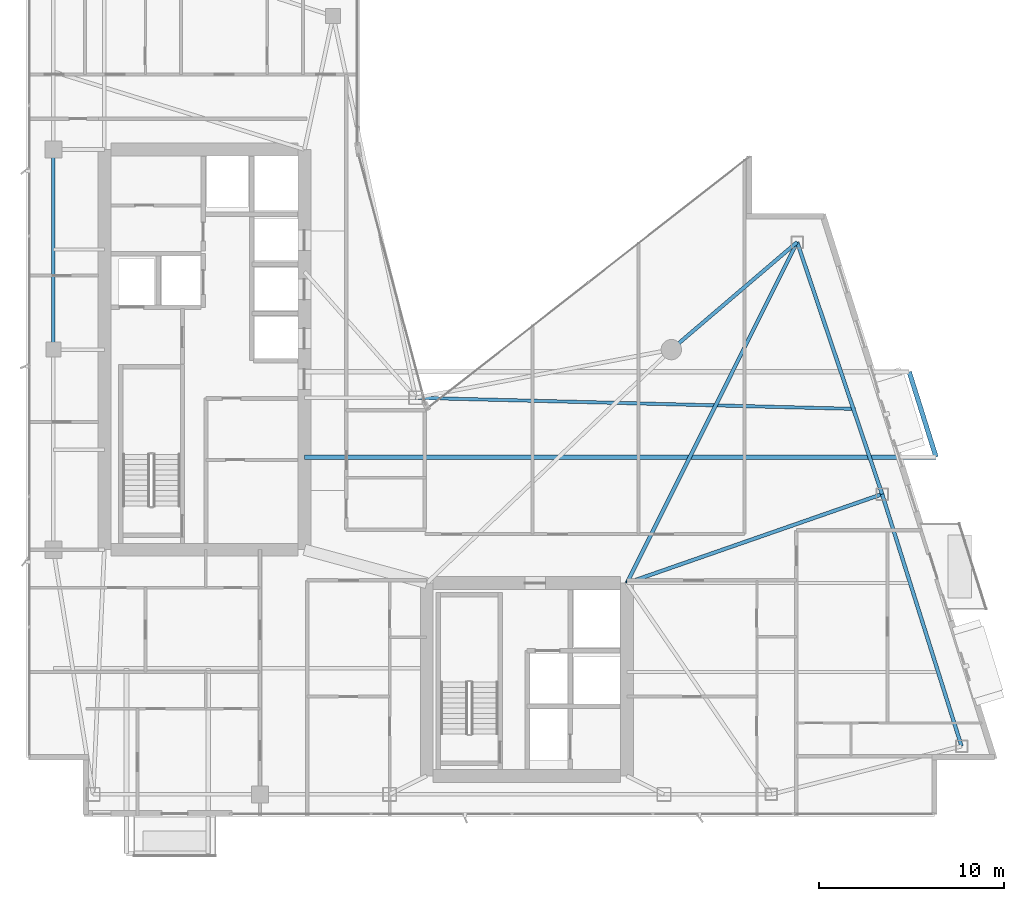
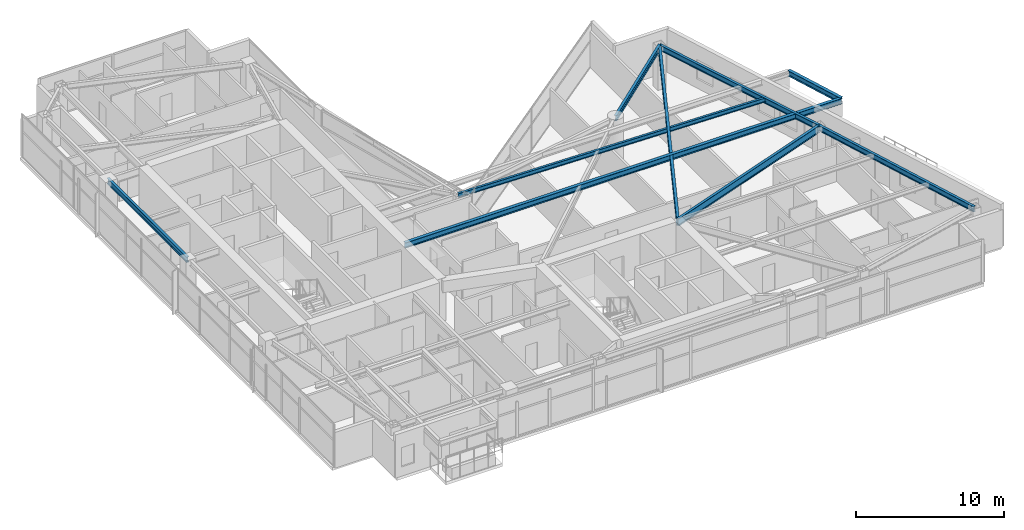
# One storey, part 16 of 30: 9 beams.
"""IFC4 building model written with IfcOpenShell, lengths in metres."""

from ifc_helpers import new_model, si_unit, direction, frame, origin, origin_2d, place, context, subcontext, project, spatial, i_section, extrude, material, material_profile, profile_set, type_object, element, save


model = new_model("IFC4")

# Units and contexts
model_context = context("Model", 3, precision=1e-05, world=origin(), true_north=direction((0.0, 1.0)))
body_context = subcontext(model_context, "Body", "Model", "MODEL_VIEW")
ifc_project = project(units=[si_unit("LENGTHUNIT", "METRE"), si_unit("AREAUNIT", "SQUARE_METRE"), si_unit("VOLUMEUNIT", "CUBIC_METRE"), si_unit("PLANEANGLEUNIT", "RADIAN"), si_unit("MASSUNIT", "GRAM", prefix="KILO")], contexts=[model_context])

# Site, building, storey
site_placement = place(None, origin())
site = spatial("IfcSite", under=ifc_project, at=site_placement, CompositionType="ELEMENT")
building_placement = place(site_placement, origin())
building = spatial("IfcBuilding", under=site, at=building_placement, Name="Calvorn Quay Hotel", CompositionType="ELEMENT")
storey_placement = place(building_placement, frame((0.0, 0.0, 203.39990234375)))
storey = spatial("IfcBuildingStorey", under=building, at=storey_placement, Name="L50", CompositionType="ELEMENT", Elevation=203.39990234375)

# Beams
ifc_material_1 = material(Name="Steel Q355B", Category="steel")
ifc_material_profile_1 = material_profile(ifc_material_1, i_section(OverallWidth=0.25, OverallDepth=0.449951171875, WebThickness=0.011962890625, FlangeThickness=0.01611328125, FilletRadius=0.01611328125, at=origin_2d()), Name="HN450x250x12x16")
ifc_profile_set_1 = profile_set([ifc_material_profile_1], Name="Steel Q355B")
beam_type_1 = type_object("IfcBeamType", Name="BM-CANT-BALC", PredefinedType="BEAM", material=ifc_profile_set_1)
beam_1_placement = place(storey_placement, frame((15.0, 21.800048828125, 3.315185546875), z_axis=(1.0, 0.0, 0.0), x_axis=(0.0, 1.0, 0.0)))
element("IfcBeam", 1, at=beam_1_placement, inside=storey, type_object=beam_type_1, Name="Cantilever Balcony Beam BCB-L51-1A", PredefinedType="BEAM", context=body_context, shape_type="SweptSolid", body=[
    extrude(i_section(OverallWidth=0.25, OverallDepth=0.449951171875, WebThickness=0.011962890625, FlangeThickness=0.01611328125, FilletRadius=0.01611328125, at=origin_2d()), origin(), (0.0, 0.0, 1.0), 34.0859375),
])
beam_2_placement = place(storey_placement, frame((49.0859375, 21.800048828125, 3.315185546875), z_axis=(-0.300450487966, 0.953797412599, 0.0), x_axis=(-0.953797412599, -0.300450487966, 0.0)))
element("IfcBeam", 2, at=beam_2_placement, inside=storey, type_object=beam_type_1, Name="Beam BCBO-L51-1", PredefinedType="BEAM", context=body_context, shape_type="SweptSolid", body=[
    extrude(i_section(OverallWidth=0.25, OverallDepth=0.449951171875, WebThickness=0.011962890625, FlangeThickness=0.01611328125, FilletRadius=0.01611328125, at=origin_2d()), origin(), (0.0, 0.0, 1.0), 4.82275390625),
])
ifc_material_2 = material(Name="Steel Q355B", Category="steel")
ifc_material_profile_2 = material_profile(ifc_material_2, i_section(OverallWidth=0.199951171875, OverallDepth=0.60009765625, WebThickness=0.010986328125, FlangeThickness=0.01708984375, FilletRadius=0.01806640625, at=origin_2d()), Name="HN600x200x11x17")
ifc_profile_set_2 = profile_set([ifc_material_profile_2], Name="Steel Q355B")
beam_type_2 = type_object("IfcBeamType", Name="BM-GIRD-TYP", PredefinedType="BEAM", material=ifc_profile_set_2)
beam_3_placement = place(storey_placement, frame((32.39990234375, 15.0, 3.239990234375), z_axis=(0.944318977239, 0.329031410699, 0.0), x_axis=(-0.329031410699, 0.944318977239, 0.0)))
element("IfcBeam", 3, at=beam_3_placement, inside=storey, type_object=beam_type_2, Name="Beam BG-L50-E2", PredefinedType="BEAM", context=body_context, shape_type="SweptSolid", body=[
    extrude(i_section(OverallWidth=0.199951171875, OverallDepth=0.60009765625, WebThickness=0.010986328125, FlangeThickness=0.01708984375, FilletRadius=0.01806640625, at=origin_2d()), origin(), (0.0, 0.0, 1.0), 14.58837890625),
])
beam_4_placement = place(storey_placement, frame((32.39990234375, 15.0, 3.239990234375), z_axis=(0.446871705446, 0.894598054364, 0.0), x_axis=(-0.894598054364, 0.446871705446, 0.0)))
element("IfcBeam", 4, at=beam_4_placement, inside=storey, type_object=beam_type_2, Name="Beam BG-L50-E3", PredefinedType="BEAM", context=body_context, shape_type="SweptSolid", body=[
    extrude(i_section(OverallWidth=0.199951171875, OverallDepth=0.60009765625, WebThickness=0.010986328125, FlangeThickness=0.01708984375, FilletRadius=0.01806640625, at=origin_2d()), origin(), (0.0, 0.0, 1.0), 20.56787109375),
])
ifc_material_3 = material(Name="Steel Q355B", Category="steel")
ifc_material_profile_3 = material_profile(ifc_material_3, i_section(OverallWidth=0.175048828125, OverallDepth=0.35009765625, WebThickness=0.007080078125, FlangeThickness=0.010986328125, FilletRadius=0.013916015625, at=origin_2d()), Name="HN350x175x7x11")
ifc_profile_set_3 = profile_set([ifc_material_profile_3], Name="Steel Q355B")
beam_type_3 = type_object("IfcBeamType", Name="BM-JOIST-SEC", PredefinedType="JOIST", material=ifc_profile_set_3)
beam_5_placement = place(storey_placement, frame((21.0, 25.0, 3.364990234375), z_axis=(0.999680318096, -0.025283623381, 0.0), x_axis=(0.025283623381, 0.999680318096, 0.0)))
element("IfcBeam", 5, at=beam_5_placement, inside=storey, type_object=beam_type_3, Name="Beam BJ-L50-E3", PredefinedType="JOIST", context=body_context, shape_type="SweptSolid", body=[
    extrude(i_section(OverallWidth=0.175048828125, OverallDepth=0.35009765625, WebThickness=0.007080078125, FlangeThickness=0.010986328125, FilletRadius=0.013916015625, at=origin_2d()), origin(), (0.0, 0.0, 1.0), 23.734619140625),
])
ifc_material_4 = material(Name="Steel Q355B", Category="steel")
ifc_material_profile_4 = material_profile(ifc_material_4, i_section(OverallWidth=0.199951171875, OverallDepth=0.449951171875, WebThickness=0.009033203125, FlangeThickness=0.013916015625, FilletRadius=0.01611328125, at=origin_2d()), Name="HN450x200x9x14")
ifc_profile_set_4 = profile_set([ifc_material_profile_4], Name="Steel Q355B")
beam_type_4 = type_object("IfcBeamType", Name="BM-SPANDREL-Z3", PredefinedType="SPANDREL", material=ifc_profile_set_4)
beam_6_placement = place(storey_placement, frame((1.449951171875, 27.60009765625, 3.315185546875), z_axis=(0.0, 1.0, 0.0), x_axis=(-1.0, 0.0, 0.0)))
element("IfcBeam", 6, at=beam_6_placement, inside=storey, type_object=beam_type_4, Name="Beam BSP-L50-W3", PredefinedType="SPANDREL", context=body_context, shape_type="SweptSolid", body=[
    extrude(i_section(OverallWidth=0.199951171875, OverallDepth=0.449951171875, WebThickness=0.009033203125, FlangeThickness=0.013916015625, FilletRadius=0.01611328125, at=origin_2d()), origin(), (0.0, 0.0, 1.0), 10.7998046875),
])
beam_7_placement = place(storey_placement, frame((50.4609375, 6.199951171875, 3.315185546875), z_axis=(-0.300502802767, 0.953780931624, 0.0), x_axis=(-0.953780931624, -0.300502802767, 0.0)))
element("IfcBeam", 7, at=beam_7_placement, inside=storey, type_object=beam_type_4, Name="Beam BSP-L50-E1", PredefinedType="SPANDREL", context=body_context, shape_type="SweptSolid", body=[
    extrude(i_section(OverallWidth=0.199951171875, OverallDepth=0.449951171875, WebThickness=0.009033203125, FlangeThickness=0.013916015625, FilletRadius=0.01611328125, at=origin_2d()), origin(), (0.0, 0.0, 1.0), 14.259033203125),
])
beam_8_placement = place(storey_placement, frame((46.176025390625, 19.800048828125, 3.315185546875), z_axis=(-0.319466515944, 0.947597564998, 0.0), x_axis=(-0.947597564998, -0.319466515944, 0.0)))
element("IfcBeam", 8, at=beam_8_placement, inside=storey, type_object=beam_type_4, Name="Beam BSP-L50-E2", PredefinedType="SPANDREL", context=body_context, shape_type="SweptSolid", body=[
    extrude(i_section(OverallWidth=0.199951171875, OverallDepth=0.449951171875, WebThickness=0.009033203125, FlangeThickness=0.013916015625, FilletRadius=0.01611328125, at=origin_2d()), origin(), (0.0, 0.0, 1.0), 14.35205078125),
])
beam_9_placement = place(storey_placement, frame((41.591064453125, 33.39990234375, 3.315185546875), z_axis=(-0.760420928616, -0.64943052848, 0.0), x_axis=(0.64943052848, -0.760420928616, 0.0)))
element("IfcBeam", 9, at=beam_9_placement, inside=storey, type_object=beam_type_4, Name="Beam BSP-L50-E3", PredefinedType="SPANDREL", context=body_context, shape_type="SweptSolid", body=[
    extrude(i_section(OverallWidth=0.199951171875, OverallDepth=0.449951171875, WebThickness=0.009033203125, FlangeThickness=0.013916015625, FilletRadius=0.01611328125, at=origin_2d()), origin(), (0.0, 0.0, 1.0), 8.9306640625),
])

save(model, "model.ifc")
